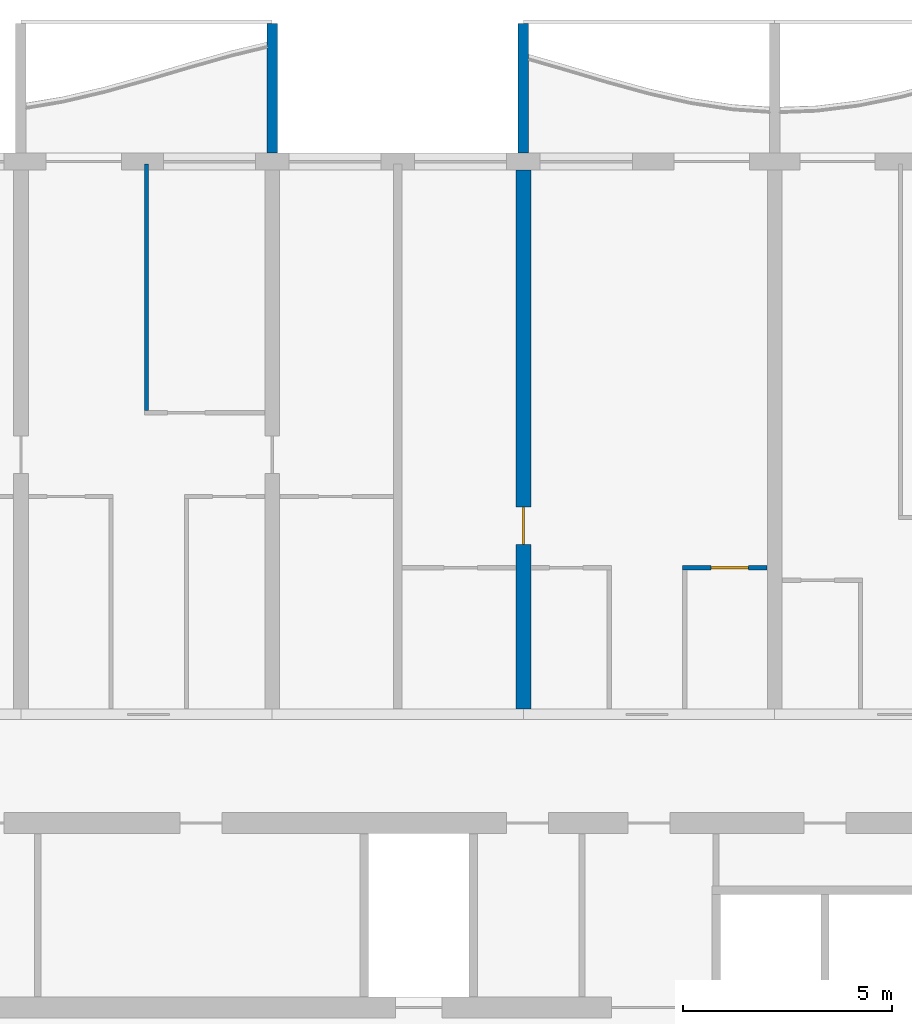
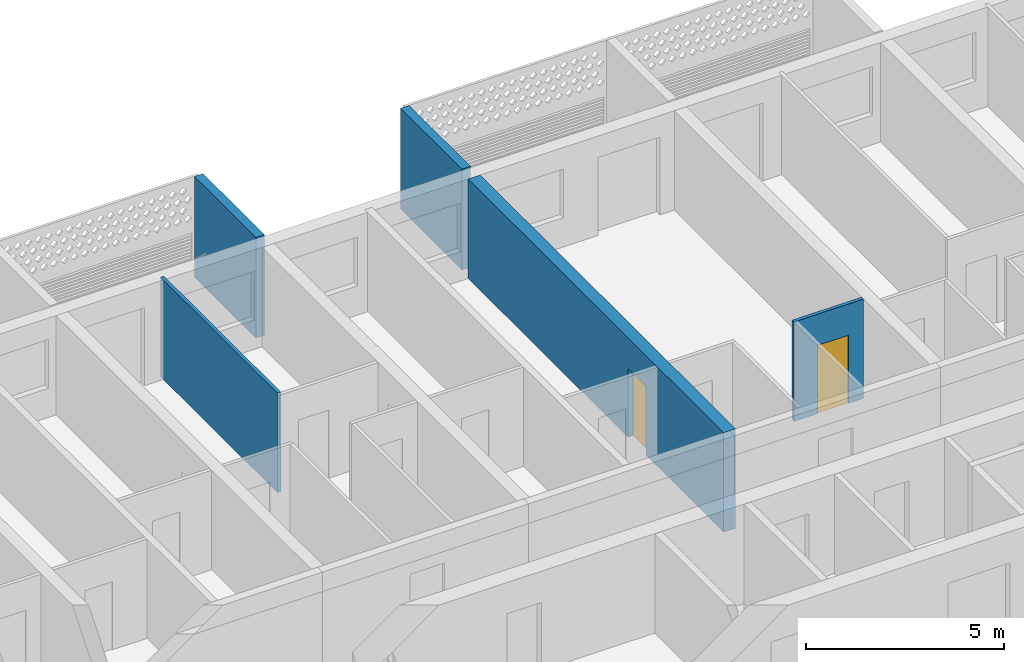
# One storey, part 11 of 26: 5 walls, 2 doors, 2 openings.
"""IFC4 building model written with IfcOpenShell, lengths in metres."""

from ifc_helpers import new_model, si_unit, direction, frame, frame_2d, origin, place, context, subcontext, project, spatial, polyline, rectangle, outline, extrude, source, transform, mapped, material, layer, layer_set, type_object, element, fill, save


model = new_model("IFC4")

# Units and contexts
model_context = context("Model", 3, precision=1e-05, world=origin(), true_north=direction((0.0, 1.0)))
body_context = subcontext(model_context, "Body", "Model", "MODEL_VIEW")
ifc_project = project(units=[si_unit("LENGTHUNIT", "METRE"), si_unit("AREAUNIT", "SQUARE_METRE"), si_unit("VOLUMEUNIT", "CUBIC_METRE"), si_unit("PLANEANGLEUNIT", "RADIAN"), si_unit("MASSUNIT", "GRAM", prefix="KILO")], contexts=[model_context])

# Site, building, storey
site_placement = place(None, origin())
site = spatial("IfcSite", under=ifc_project, at=site_placement, CompositionType="ELEMENT")
building_placement = place(site_placement, origin())
building = spatial("IfcBuilding", under=site, at=building_placement, Name="Poui Terraces", CompositionType="ELEMENT")
storey_placement = place(building_placement, frame((0.0, 0.0, 96.0)))
storey = spatial("IfcBuildingStorey", under=building, at=storey_placement, Name="L26", CompositionType="ELEMENT", Elevation=96.0)

# Wall, opening, door
ifc_material_1 = material(Name="Concrete 65 MPa", Category="concrete")
ifc_layer_1 = layer(ifc_material_1, 0.35009765625)
ifc_layer_set_1 = layer_set([ifc_layer_1], Name="Concrete 65 MPa")
wall_type_1 = type_object("IfcWallType", Name="CROSS WALL 350 65MPa", PredefinedType="SHEAR", material=ifc_layer_set_1)
wall_1_placement = place(storey_placement, frame((48.0, 30.52490234375, 0.0), z_axis=(0.0, 0.0, 1.0), x_axis=(0.0, 1.0, 0.0)))
wall_1 = element("IfcWall", 1, at=wall_1_placement, inside=storey, type_object=wall_type_1, Name="CROSS WALL LINE 9 NORTH", PredefinedType="SHEAR", context=body_context, shape_type="SweptSolid", body=[
    extrude(rectangle(XDim=12.875, YDim=0.35009765625, at=frame_2d((6.4375, 0.0))), origin(), (0.0, 0.0, 1.0), 3.06005859375),
])
opening_1_placement = place(wall_1_placement, frame((3.925048828125, 0.0, 0.0)))
opening_1 = element("IfcOpeningElement", 2, at=opening_1_placement, cuts=wall_1, Name="Opening D90", PredefinedType="OPENING", context=body_context, shape_type="SweptSolid", body=[
    extrude(rectangle(XDim=0.89990234375, YDim=2.10009765625, at=frame_2d((0.449951171875, 1.050048828125))), frame((0.0, 0.18505859375, 0.0), z_axis=(0.0, -1.0, 0.0), x_axis=(1.0, 0.0, 0.0)), (0.0, 0.0, 1.0), 0.3701171875),
])
ifc_material_2 = material(Name="Solid core timber door", Category="wood")
door_type = type_object("IfcDoorType", Name="INTERNAL DOOR 900 X 2100", OperationType="NOTDEFINED", PredefinedType="DOOR", material=ifc_material_2)
door_1_placement = place(opening_1_placement, origin())
door_1 = element("IfcDoor", 3, at=door_1_placement, inside=storey, type_object=door_type, Name="INTERNAL DOOR 054", OperationType="SINGLE_SWING_LEFT", OverallHeight=2.10009765625, OverallWidth=0.89990234375, PredefinedType="DOOR", context=body_context, shape_type="SweptSolid", body=[
    extrude(rectangle(XDim=0.89990234375, YDim=2.10009765625, at=frame_2d((0.449951171875, 1.050048828125))), frame((0.0, 0.02490234375, 0.0), z_axis=(0.0, -1.0, 0.0), x_axis=(1.0, 0.0, 0.0)), (0.0, 0.0, 1.0), 0.050048828125),
])
fill(opening_1, door_1)

ifc_material_3 = material(Name="Plasterboard partition")
ifc_layer_2 = layer(ifc_material_3, 0.10009765625)
ifc_layer_set_2 = layer_set([ifc_layer_2], Name="Plasterboard partition")
wall_type_2 = type_object("IfcWallType", Name="FLAT PARTITION 100", PredefinedType="PARTITIONING", material=ifc_layer_set_2)
wall_2_placement = place(storey_placement, frame((51.800048828125, 33.89990234375, 0.0), z_axis=(0.0, 0.0, 1.0), x_axis=(1.0, 0.0, 0.0)))
wall_2 = element("IfcWall", 4, at=wall_2_placement, inside=storey, type_object=wall_type_2, Name="FLAT PARTITION 100", PredefinedType="PARTITIONING", context=body_context, shape_type="SweptSolid", body=[
    extrude(rectangle(XDim=2.014892578125, YDim=0.10009765625, at=frame_2d((1.00732421875, 0.0))), origin(), (0.0, 0.0, 1.0), 3.06005859375),
])
opening_2_placement = place(wall_2_placement, frame((0.675048828125, 0.0, 0.0)))
opening_2 = element("IfcOpeningElement", 5, at=opening_2_placement, cuts=wall_2, Name="Opening D90", PredefinedType="OPENING", context=body_context, shape_type="SweptSolid", body=[
    extrude(rectangle(XDim=0.89990234375, YDim=2.10009765625, at=frame_2d((0.449951171875, 1.050048828125))), frame((0.0, 0.06005859375, 0.0), z_axis=(0.0, -1.0, 0.0), x_axis=(1.0, 0.0, 0.0)), (0.0, 0.0, 1.0), 0.1201171875),
])
door_2_placement = place(opening_2_placement, frame((0.89990234375, 0.0, 0.0), z_axis=(0.0, 0.0, 1.0), x_axis=(-1.0, 0.0, 0.0)))
door_2 = element("IfcDoor", 6, at=door_2_placement, inside=storey, type_object=door_type, Name="INTERNAL DOOR 057", OperationType="SINGLE_SWING_RIGHT", OverallHeight=2.10009765625, OverallWidth=0.89990234375, PredefinedType="DOOR", context=body_context, shape_type="SweptSolid", body=[
    extrude(rectangle(XDim=0.89990234375, YDim=2.10009765625, at=frame_2d((0.449951171875, 1.050048828125))), frame((0.0, 0.02490234375, 0.0), z_axis=(0.0, -1.0, 0.0), x_axis=(1.0, 0.0, 0.0)), (0.0, 0.0, 1.0), 0.050048828125),
])
fill(opening_2, door_2)

# Walls
wall_3_placement = place(storey_placement, frame((39.0, 37.64990234375, 0.0), z_axis=(0.0, 0.0, 1.0), x_axis=(0.0, 1.0, 0.0)))
element("IfcWall", 7, at=wall_3_placement, inside=storey, type_object=wall_type_2, Name="FLAT PARTITION 100", PredefinedType="PARTITIONING", context=body_context, shape_type="SweptSolid", body=[
    extrude(rectangle(XDim=5.89013671875, YDim=0.10009765625, at=frame_2d((2.945068359375, 0.0))), origin(), (0.0, 0.0, 1.0), 3.06005859375),
])
ifc_material_4 = material(Name="Precast concrete 40 MPa", Category="concrete")
ifc_layer_3 = layer(ifc_material_4, 0.25)
ifc_layer_set_3 = layer_set([ifc_layer_3], Name="Precast concrete 40 MPa")
wall_type_3 = type_object("IfcWallType", Name="BALCONY FIN 250", PredefinedType="STANDARD", material=ifc_layer_set_3)
shared_shape = source(origin(), body_context, "Body", "SweptSolid", [
    extrude(outline(polyline([(0.0, 0.0), (0.25, 0.0), (0.25, 3.099853515625), (0.0, 3.099853515625), (0.0, 0.0)])), origin(), (0.0, 0.0, 1.0), 3.10009765625),
])
for number, where, name in (
    (8, (41.875, 43.800048828125, 0.0), "BALCONY FIN"),
    (9, (47.875, 43.800048828125, 0.0), "BALCONY FIN"),
):
    element("IfcWall", number, at=place(storey_placement, frame(where)), inside=storey, type_object=wall_type_3, Name=name, PredefinedType="STANDARD", context=body_context, shape_type="MappedRepresentation", body=[
        mapped(shared_shape, transform((0.0, 0.0, 0.0))),
    ])

save(model, "model.ifc")
